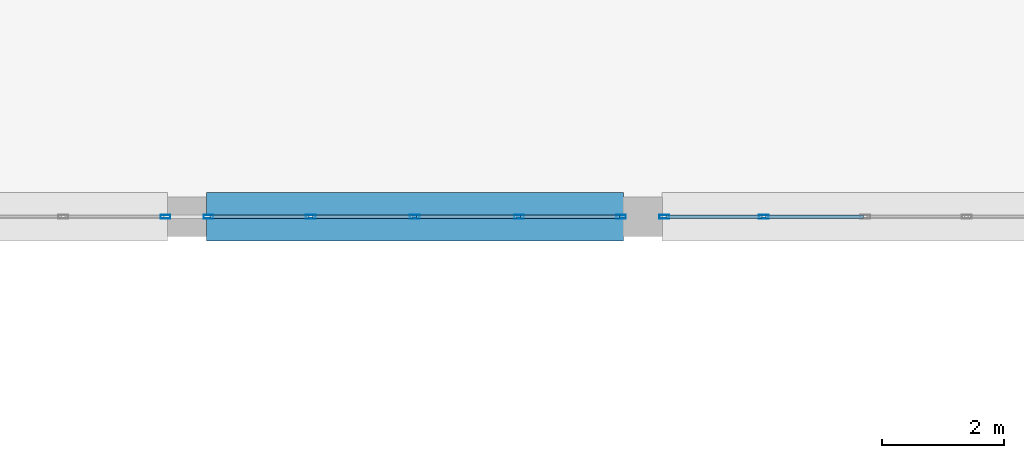
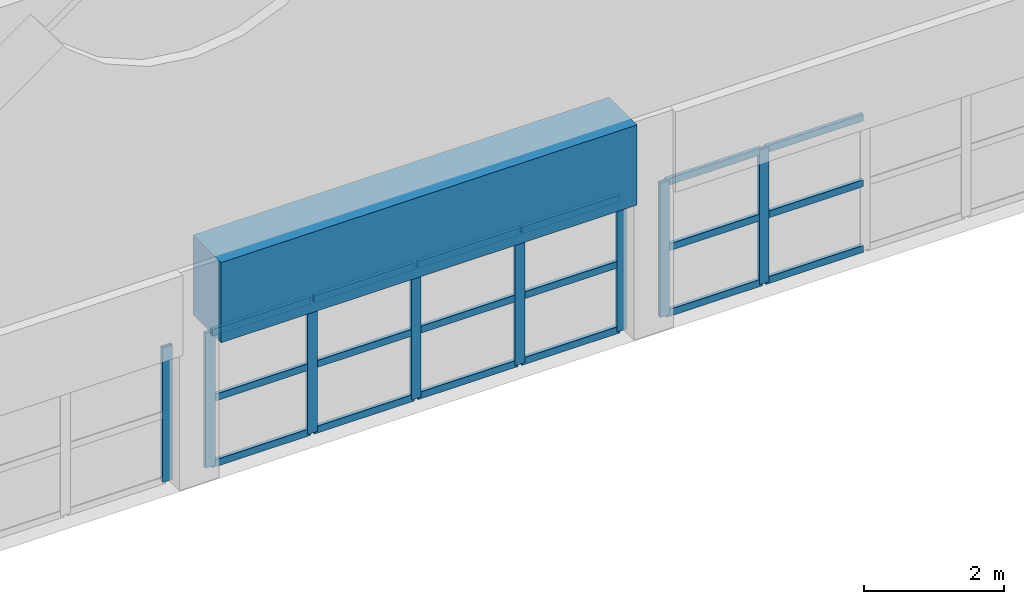
# One storey, part 19 of 74: 26 members, 1 beam, 3 elements without a shape of their own.
"""IFC4 building model written with IfcOpenShell, lengths in metres."""

import ifcopenshell
import ifcopenshell.guid

model = None  # the IFC model being written
_history = None  # IfcOwnerHistory: only IFC2X3 demands one
_inside = {}  # id of a spatial element -> (the spatial element, [elements in it])
_under = {}  # id of a project, library or spatial element -> (it, [spatial elements below it])
_declared = {}  # id of a project -> (the project, [libraries it declares])
_typed = {}  # id of a type object -> (the type object, [elements of that type])
_made_of = {}  # id of a material, layer set ... -> (it, [elements and type objects made of it])


def new_model(schema):
    """Start an empty IFC model of exactly this schema.

    Asked for "IFC4X3", IfcOpenShell would pick the latest addendum, in which some entities
    have other attributes; the version numbers below select the first issue.
    IFC2X3 requires an IfcOwnerHistory on every rooted entity: one is made here for all.
    """
    global model, _history
    if schema == "IFC4X3":
        model = ifcopenshell.file(schema_version=(4, 3, 0, 0))
    else:
        model = ifcopenshell.file(schema=schema)
    _inside.clear()
    _under.clear()
    _declared.clear()
    _typed.clear()
    _made_of.clear()
    _history = None
    if model.schema == "IFC2X3":
        org = make("IfcOrganization", Name="unknown")
        user = make(
            "IfcPersonAndOrganization",
            ThePerson=make("IfcPerson", FamilyName="unknown"),
            TheOrganization=org,
        )
        app = make(
            "IfcApplication",
            ApplicationDeveloper=org,
            Version="unknown",
            ApplicationFullName="unknown",
            ApplicationIdentifier="unknown",
        )
        _history = make(
            "IfcOwnerHistory",
            OwningUser=user,
            OwningApplication=app,
            ChangeAction="ADDED",
            CreationDate=0,
        )
    return model


def make(cls, **values):
    """One entity of the class cls with the attributes given. An attribute that is None is left unset."""
    return model.create_entity(
        cls, **{name: value for name, value in values.items() if value is not None}
    )


def rooted(cls, **values):
    """An entity with a GlobalId (a new one), such as an element, a storey or a relation."""
    return make(cls, GlobalId=ifcopenshell.guid.new(), OwnerHistory=_history, **values)


def si_unit(unit_type, name, prefix=None):
    """IfcSIUnit, for example si_unit("LENGTHUNIT", "METRE", prefix="MILLI")."""
    return make("IfcSIUnit", UnitType=unit_type, Prefix=prefix, Name=name)


def assignment(units):
    """IfcUnitAssignment: the units of a project."""
    return None if units is None else make("IfcUnitAssignment", Units=units)


def point(xyz):
    """IfcCartesianPoint."""
    return None if xyz is None else make("IfcCartesianPoint", Coordinates=xyz)


def direction(xyz):
    """IfcDirection."""
    return None if xyz is None else make("IfcDirection", DirectionRatios=xyz)


def frame(location, z_axis=None, x_axis=None):
    """IfcAxis2Placement3D, a coordinate frame: its origin and axes. An axis left out is left unset."""
    return make(
        "IfcAxis2Placement3D",
        Location=point(location),
        Axis=direction(z_axis),
        RefDirection=direction(x_axis),
    )


def frame_2d(location, x_axis=None):
    """IfcAxis2Placement2D, a coordinate frame in the plane: its origin and x axis."""
    return make(
        "IfcAxis2Placement2D", Location=point(location), RefDirection=direction(x_axis)
    )


def origin():
    """The frame at (0, 0, 0) with its axes left unset."""
    return frame((0.0, 0.0, 0.0))


def origin_2d():
    """The frame at (0, 0) in the plane with its x axis left unset."""
    return frame_2d((0.0, 0.0))


def place(relative_to, where):
    """IfcLocalPlacement: puts the frame where relative to a parent placement (None: the world)."""
    return make(
        "IfcLocalPlacement", PlacementRelTo=relative_to, RelativePlacement=where
    )


def context(
    kind, dimensions, precision=None, world=None, true_north=None, identifier=None
):
    """IfcGeometricRepresentationContext, for example the 3D "Model" context."""
    return make(
        "IfcGeometricRepresentationContext",
        ContextIdentifier=identifier,
        ContextType=kind,
        CoordinateSpaceDimension=dimensions,
        Precision=precision,
        WorldCoordinateSystem=world,
        TrueNorth=true_north,
    )


def subcontext(parent, identifier, kind, view, scale=None):
    """IfcGeometricRepresentationSubContext, for example "Body" below "Model"."""
    return make(
        "IfcGeometricRepresentationSubContext",
        ContextIdentifier=identifier,
        ContextType=kind,
        ParentContext=parent,
        TargetScale=scale,
        TargetView=view,
    )


def project(units=None, contexts=None):
    """IfcProject with its units and contexts."""
    return rooted(
        "IfcProject",
        Name="project",
        RepresentationContexts=contexts,
        UnitsInContext=assignment(units),
    )


def spatial(cls, under=None, at=None, **own):
    """A site, building, storey or space (cls), placed at a placement, below another one or the project."""
    s = rooted(cls, ObjectPlacement=at, **own)
    if under is not None:
        _under.setdefault(under.id(), (under, []))[1].append(s)
    return s


def profile(cls, at=None, kind="AREA", **sizes):
    """A parametric profile (cls). Its sizes go by their IFC names, for example OverallWidth=200.0."""
    return make(cls, ProfileType=kind, Position=at, **sizes)


def rectangle(**sizes):
    """IfcRectangleProfileDef."""
    return profile("IfcRectangleProfileDef", **sizes)


def hollow_rectangle(**sizes):
    """IfcRectangleHollowProfileDef."""
    return profile("IfcRectangleHollowProfileDef", **sizes)


def extrude(swept, where, along, depth):
    """IfcExtrudedAreaSolid: the profile swept, set in the frame where, extruded along a direction by depth."""
    return make(
        "IfcExtrudedAreaSolid",
        SweptArea=swept,
        Position=where,
        ExtrudedDirection=direction(along),
        Depth=depth,
    )


def shape(context_of_items, identifier, shape_type, items):
    """IfcShapeRepresentation: the items that make up one representation, for example the "Body"."""
    return make(
        "IfcShapeRepresentation",
        ContextOfItems=context_of_items,
        RepresentationIdentifier=identifier,
        RepresentationType=shape_type,
        Items=items,
    )


def material(Name=None, Category=None):
    """IfcMaterial."""
    return make("IfcMaterial", Name=Name, Category=Category)


def layer(
    of_material, thickness, ventilated=None, Name=None, Category=None, Priority=None
):
    """IfcMaterialLayer: one layer of a wall or slab, of a material (None: an air gap)."""
    return make(
        "IfcMaterialLayer",
        Material=of_material,
        LayerThickness=thickness,
        IsVentilated=ventilated,
        Name=Name,
        Category=Category,
        Priority=Priority,
    )


def layer_set(layers, Name=None):
    """IfcMaterialLayerSet."""
    return make("IfcMaterialLayerSet", MaterialLayers=layers, LayerSetName=Name)


def material_profile(
    of_material, cross_section, Name=None, Category=None, Priority=None
):
    """IfcMaterialProfile: a cross section and its material."""
    return make(
        "IfcMaterialProfile",
        Name=Name,
        Material=of_material,
        Profile=cross_section,
        Priority=Priority,
        Category=Category,
    )


def profile_set(profiles, Name=None, composite=None):
    """IfcMaterialProfileSet."""
    return make(
        "IfcMaterialProfileSet",
        Name=Name,
        MaterialProfiles=profiles,
        CompositeProfile=composite,
    )


def made_of(thing, what):
    """Note that an element or type object is made of a material, layer set ...; save() writes the relation."""
    if what is not None:
        _made_of.setdefault(what.id(), (what, []))[1].append(thing)
    return thing


def type_object(cls, material=None, **own):
    """A type object (cls), such as IfcWallType, which elements share."""
    return made_of(rooted(cls, **own), material)


def element(
    cls,
    number,
    at=None,
    inside=None,
    cuts=None,
    type_object=None,
    material=None,
    context=None,
    identifier="Body",
    shape_type=None,
    held_by="IfcProductDefinitionShape",
    body=None,
    shapes=None,
    **own,
):
    """One element of the class cls, such as IfcWall. Its Tag is "e" and its number.

    at: its placement. inside: the storey or other place that contains it. cuts: it is an
    opening in that element (IfcRelVoidsElement). A single representation is given by context,
    identifier, shape_type and body (its items); several are given by shapes. held_by: the class
    of the entity that holds the representations. save() writes the other relations.
    """
    e = rooted(cls, Tag="e%d" % number, ObjectPlacement=at, **own)
    if body is not None:
        shapes = [shape(context, identifier, shape_type, body)]
    if shapes is not None:
        e.Representation = make(held_by, Representations=shapes)
    if inside is not None:
        _inside.setdefault(inside.id(), (inside, []))[1].append(e)
    if cuts is not None:
        rooted(
            "IfcRelVoidsElement", RelatingBuildingElement=cuts, RelatedOpeningElement=e
        )
    if type_object is not None:
        _typed.setdefault(type_object.id(), (type_object, []))[1].append(e)
    return made_of(e, material)


def aggregate(whole, parts):
    """IfcRelAggregates: a whole, such as a stair, and the parts it consists of."""
    return rooted("IfcRelAggregates", RelatingObject=whole, RelatedObjects=parts)


def save(model, path):
    """Write the relations noted so far, then the file.

    IfcRelAggregates (storeys below a building ...), IfcRelContainedInSpatialStructure (elements
    in a storey), IfcRelDefinesByType, IfcRelAssociatesMaterial and IfcRelDeclares: one each for
    every whole, place, type object, material and project.
    """
    for whole, parts in _under.values():
        aggregate(whole, parts)
    for where, things in _inside.values():
        rooted(
            "IfcRelContainedInSpatialStructure",
            RelatedElements=things,
            RelatingStructure=where,
        )
    for kind, things in _typed.values():
        rooted("IfcRelDefinesByType", RelatedObjects=things, RelatingType=kind)
    for what, things in _made_of.values():
        rooted("IfcRelAssociatesMaterial", RelatedObjects=things, RelatingMaterial=what)
    for by, libraries in _declared.values():
        rooted("IfcRelDeclares", RelatingContext=by, RelatedDefinitions=libraries)
    model.write(path)


model = new_model("IFC4")

# Units and contexts
model_context = context("Model", 3, precision=1e-05, world=origin(), true_north=direction((0.0, 1.0)))
body_context = subcontext(model_context, "Body", "Model", "MODEL_VIEW")
ifc_project = project(units=[si_unit("LENGTHUNIT", "METRE"), si_unit("AREAUNIT", "SQUARE_METRE"), si_unit("VOLUMEUNIT", "CUBIC_METRE"), si_unit("PLANEANGLEUNIT", "RADIAN"), si_unit("MASSUNIT", "GRAM", prefix="KILO")], contexts=[model_context])

# Site, building, storey
site_placement = place(None, origin())
site = spatial("IfcSite", under=ifc_project, at=site_placement, CompositionType="ELEMENT")
building_placement = place(site_placement, origin())
building = spatial("IfcBuilding", under=site, at=building_placement, Name="Muzn Square Opera House", CompositionType="ELEMENT")
storey_placement = place(building_placement, frame((0.0, 0.0, 14.199951171875)))
storey = spatial("IfcBuildingStorey", under=building, at=storey_placement, Name="L03", CompositionType="ELEMENT", Elevation=14.199951171875)

# Curtain wall, member
ifc_material_1 = material(Name="Low-E laminated acoustic double glazing", Category="glass")
ifc_layer_1 = layer(ifc_material_1, 0.159912109375, Name="Low-E laminated acoustic double glazing", Category="glass")
ifc_layer_set_1 = layer_set([ifc_layer_1], Name="Low-E laminated acoustic double glazing")
curtain_wall_type_1 = type_object("IfcCurtainWallType", Name="Glazed Curtain Wall Forecourt 6850x2350", PredefinedType="USERDEFINED", material=ifc_layer_set_1)
curtain_wall_1_placement = place(storey_placement, origin())
curtain_wall_1 = element("IfcCurtainWall", 1, at=curtain_wall_1_placement, inside=storey, type_object=curtain_wall_type_1, Name="Glazed Curtain Wall CW-L03-023", ObjectType="GLAZED CURTAIN WALL", PredefinedType="USERDEFINED")
ifc_material_2 = material(Name="Anodised bronze aluminium 6063-T6", Category="metal")
ifc_material_profile_1 = material_profile(ifc_material_2, hollow_rectangle(XDim=0.06005859375, YDim=0.159912109375, WallThickness=0.00390625, at=origin_2d()), Name="ALU 160x60x4", Category="metal")
ifc_profile_set_1 = profile_set([ifc_material_profile_1], Name="Anodised bronze aluminium 6063-T6")
member_type_1 = type_object("IfcMemberType", Name="Curtain Wall Mullion 160x60", PredefinedType="MULLION", material=ifc_profile_set_1)
member_1_placement = place(storey_placement, frame((87.64501953125, 22.0, 0.0), z_axis=(0.0, 0.0, 1.0), x_axis=(0.0, 1.0, 0.0)))
member_1 = element("IfcMember", 2, at=member_1_placement, type_object=member_type_1, Name="CW-FC-68x23 mullion 5", PredefinedType="MULLION", context=body_context, shape_type="SweptSolid", body=[
    extrude(hollow_rectangle(XDim=0.06005859375, YDim=0.159912109375, WallThickness=0.00390625, at=origin_2d()), origin(), (0.0, 0.0, 1.0), 2.35009765625),
])
aggregate(curtain_wall_1, [member_1])

# Curtain wall, members
curtain_wall_2_placement = place(storey_placement, origin())
curtain_wall_2 = element("IfcCurtainWall", 3, at=curtain_wall_2_placement, inside=storey, type_object=curtain_wall_type_1, Name="Glazed Curtain Wall CW-L03-024", ObjectType="GLAZED CURTAIN WALL", PredefinedType="USERDEFINED")
member_2_placement = place(storey_placement, frame((88.35498046875, 22.0, 0.0), z_axis=(0.0, 0.0, 1.0), x_axis=(0.0, 1.0, 0.0)))
member_2 = element("IfcMember", 4, at=member_2_placement, type_object=member_type_1, Name="CW-FC-68x23 mullion 1", PredefinedType="MULLION", context=body_context, shape_type="SweptSolid", body=[
    extrude(hollow_rectangle(XDim=0.06005859375, YDim=0.159912109375, WallThickness=0.00390625, at=origin_2d()), origin(), (0.0, 0.0, 1.0), 2.35009765625),
])
member_3_placement = place(storey_placement, frame((90.03759765625, 22.0, 0.0), z_axis=(0.0, 0.0, 1.0), x_axis=(0.0, 1.0, 0.0)))
member_3 = element("IfcMember", 5, at=member_3_placement, type_object=member_type_1, Name="CW-FC-68x23 mullion 2", PredefinedType="MULLION", context=body_context, shape_type="SweptSolid", body=[
    extrude(hollow_rectangle(XDim=0.06005859375, YDim=0.159912109375, WallThickness=0.00390625, at=origin_2d()), origin(), (0.0, 0.0, 1.0), 2.35009765625),
])
member_4_placement = place(storey_placement, frame((91.75, 22.0, 0.0), z_axis=(0.0, 0.0, 1.0), x_axis=(0.0, 1.0, 0.0)))
member_4 = element("IfcMember", 6, at=member_4_placement, type_object=member_type_1, Name="CW-FC-68x23 mullion 3", PredefinedType="MULLION", context=body_context, shape_type="SweptSolid", body=[
    extrude(hollow_rectangle(XDim=0.06005859375, YDim=0.159912109375, WallThickness=0.00390625, at=origin_2d()), origin(), (0.0, 0.0, 1.0), 2.35009765625),
])
member_5_placement = place(storey_placement, frame((93.46240234375, 22.0, 0.0), z_axis=(0.0, 0.0, 1.0), x_axis=(0.0, 1.0, 0.0)))
member_5 = element("IfcMember", 7, at=member_5_placement, type_object=member_type_1, Name="CW-FC-68x23 mullion 4", PredefinedType="MULLION", context=body_context, shape_type="SweptSolid", body=[
    extrude(hollow_rectangle(XDim=0.06005859375, YDim=0.159912109375, WallThickness=0.00390625, at=origin_2d()), origin(), (0.0, 0.0, 1.0), 2.35009765625),
])
member_6_placement = place(storey_placement, frame((95.14501953125, 22.0, 0.0), z_axis=(0.0, 0.0, 1.0), x_axis=(0.0, 1.0, 0.0)))
member_6 = element("IfcMember", 8, at=member_6_placement, type_object=member_type_1, Name="CW-FC-68x23 mullion 5", PredefinedType="MULLION", context=body_context, shape_type="SweptSolid", body=[
    extrude(hollow_rectangle(XDim=0.06005859375, YDim=0.159912109375, WallThickness=0.00390625, at=origin_2d()), origin(), (0.0, 0.0, 1.0), 2.35009765625),
])

ifc_layer_2 = layer(ifc_material_1, 0.159912109375, Name="Low-E laminated acoustic double glazing", Category="glass")
ifc_layer_set_2 = layer_set([ifc_layer_2], Name="Low-E laminated acoustic double glazing")
curtain_wall_type_2 = type_object("IfcCurtainWallType", Name="Glazed Curtain Wall Forecourt 6675x2350", PredefinedType="USERDEFINED", material=ifc_layer_set_2)
curtain_wall_3_placement = place(storey_placement, origin())
curtain_wall_3 = element("IfcCurtainWall", 9, at=curtain_wall_3_placement, inside=storey, type_object=curtain_wall_type_2, Name="Glazed Curtain Wall CW-L03-025", ObjectType="GLAZED CURTAIN WALL", PredefinedType="USERDEFINED")
member_7_placement = place(storey_placement, frame((95.85498046875, 22.0, 0.0), z_axis=(0.0, 0.0, 1.0), x_axis=(0.0, 1.0, 0.0)))
member_7 = element("IfcMember", 10, at=member_7_placement, type_object=member_type_1, Name="CW-FC-66x23 mullion 1", PredefinedType="MULLION", context=body_context, shape_type="SweptSolid", body=[
    extrude(hollow_rectangle(XDim=0.06005859375, YDim=0.159912109375, WallThickness=0.00390625, at=origin_2d()), origin(), (0.0, 0.0, 1.0), 2.35009765625),
])
member_8_placement = place(storey_placement, frame((97.49365234375, 22.0, 0.0), z_axis=(0.0, 0.0, 1.0), x_axis=(0.0, 1.0, 0.0)))
member_8 = element("IfcMember", 11, at=member_8_placement, type_object=member_type_1, Name="CW-FC-66x23 mullion 2", PredefinedType="MULLION", context=body_context, shape_type="SweptSolid", body=[
    extrude(hollow_rectangle(XDim=0.06005859375, YDim=0.159912109375, WallThickness=0.00390625, at=origin_2d()), origin(), (0.0, 0.0, 1.0), 2.35009765625),
])

# Member
ifc_material_profile_2 = material_profile(ifc_material_2, hollow_rectangle(XDim=0.06005859375, YDim=0.1201171875, WallThickness=0.00390625, at=origin_2d()), Name="ALU 120x60x4", Category="metal")
ifc_profile_set_2 = profile_set([ifc_material_profile_2], Name="Anodised bronze aluminium 6063-T6")
member_type_2 = type_object("IfcMemberType", Name="Curtain Wall Transom 120x60", PredefinedType="USERDEFINED", material=ifc_profile_set_2)
member_9_placement = place(storey_placement, frame((88.385009765625, 22.0, 0.030029296875), z_axis=(1.0, 0.0, 0.0), x_axis=(0.0, 1.0, 0.0)))
member_9 = element("IfcMember", 12, at=member_9_placement, type_object=member_type_2, Name="CW-FC-68x23 transom 1.1", ObjectType="TRANSOM", PredefinedType="USERDEFINED", context=body_context, shape_type="SweptSolid", body=[
    extrude(hollow_rectangle(XDim=0.06005859375, YDim=0.1201171875, WallThickness=0.00390625, at=origin_2d()), origin(), (0.0, 0.0, 1.0), 1.62255859375),
])

member_10_placement = place(storey_placement, frame((88.385009765625, 22.0, 1.175048828125), z_axis=(1.0, 0.0, 0.0), x_axis=(0.0, 1.0, 0.0)))
member_10 = element("IfcMember", 13, at=member_10_placement, type_object=member_type_2, Name="CW-FC-68x23 transom 1.2", ObjectType="TRANSOM", PredefinedType="USERDEFINED", context=body_context, shape_type="SweptSolid", body=[
    extrude(hollow_rectangle(XDim=0.06005859375, YDim=0.1201171875, WallThickness=0.00390625, at=origin_2d()), origin(), (0.0, 0.0, 1.0), 1.62255859375),
])

member_11_placement = place(storey_placement, frame((88.385009765625, 22.0, 2.320068359375), z_axis=(1.0, 0.0, 0.0), x_axis=(0.0, 1.0, 0.0)))
member_11 = element("IfcMember", 14, at=member_11_placement, type_object=member_type_2, Name="CW-FC-68x23 transom 1.3", ObjectType="TRANSOM", PredefinedType="USERDEFINED", context=body_context, shape_type="SweptSolid", body=[
    extrude(hollow_rectangle(XDim=0.06005859375, YDim=0.1201171875, WallThickness=0.00390625, at=origin_2d()), origin(), (0.0, 0.0, 1.0), 1.62255859375),
])

member_12_placement = place(storey_placement, frame((90.0673828125, 22.0, 0.030029296875), z_axis=(1.0, 0.0, 0.0), x_axis=(0.0, 1.0, 0.0)))
member_12 = element("IfcMember", 15, at=member_12_placement, type_object=member_type_2, Name="CW-FC-68x23 transom 2.1", ObjectType="TRANSOM", PredefinedType="USERDEFINED", context=body_context, shape_type="SweptSolid", body=[
    extrude(hollow_rectangle(XDim=0.06005859375, YDim=0.1201171875, WallThickness=0.00390625, at=origin_2d()), origin(), (0.0, 0.0, 1.0), 1.652587890625),
])

member_13_placement = place(storey_placement, frame((90.0673828125, 22.0, 1.175048828125), z_axis=(1.0, 0.0, 0.0), x_axis=(0.0, 1.0, 0.0)))
member_13 = element("IfcMember", 16, at=member_13_placement, type_object=member_type_2, Name="CW-FC-68x23 transom 2.2", ObjectType="TRANSOM", PredefinedType="USERDEFINED", context=body_context, shape_type="SweptSolid", body=[
    extrude(hollow_rectangle(XDim=0.06005859375, YDim=0.1201171875, WallThickness=0.00390625, at=origin_2d()), origin(), (0.0, 0.0, 1.0), 1.652587890625),
])

member_14_placement = place(storey_placement, frame((90.0673828125, 22.0, 2.320068359375), z_axis=(1.0, 0.0, 0.0), x_axis=(0.0, 1.0, 0.0)))
member_14 = element("IfcMember", 17, at=member_14_placement, type_object=member_type_2, Name="CW-FC-68x23 transom 2.3", ObjectType="TRANSOM", PredefinedType="USERDEFINED", context=body_context, shape_type="SweptSolid", body=[
    extrude(hollow_rectangle(XDim=0.06005859375, YDim=0.1201171875, WallThickness=0.00390625, at=origin_2d()), origin(), (0.0, 0.0, 1.0), 1.652587890625),
])

member_15_placement = place(storey_placement, frame((91.780029296875, 22.0, 0.030029296875), z_axis=(1.0, 0.0, 0.0), x_axis=(0.0, 1.0, 0.0)))
member_15 = element("IfcMember", 18, at=member_15_placement, type_object=member_type_2, Name="CW-FC-68x23 transom 3.1", ObjectType="TRANSOM", PredefinedType="USERDEFINED", context=body_context, shape_type="SweptSolid", body=[
    extrude(hollow_rectangle(XDim=0.06005859375, YDim=0.1201171875, WallThickness=0.00390625, at=origin_2d()), origin(), (0.0, 0.0, 1.0), 1.652587890625),
])

member_16_placement = place(storey_placement, frame((91.780029296875, 22.0, 1.175048828125), z_axis=(1.0, 0.0, 0.0), x_axis=(0.0, 1.0, 0.0)))
member_16 = element("IfcMember", 19, at=member_16_placement, type_object=member_type_2, Name="CW-FC-68x23 transom 3.2", ObjectType="TRANSOM", PredefinedType="USERDEFINED", context=body_context, shape_type="SweptSolid", body=[
    extrude(hollow_rectangle(XDim=0.06005859375, YDim=0.1201171875, WallThickness=0.00390625, at=origin_2d()), origin(), (0.0, 0.0, 1.0), 1.652587890625),
])

member_17_placement = place(storey_placement, frame((91.780029296875, 22.0, 2.320068359375), z_axis=(1.0, 0.0, 0.0), x_axis=(0.0, 1.0, 0.0)))
member_17 = element("IfcMember", 20, at=member_17_placement, type_object=member_type_2, Name="CW-FC-68x23 transom 3.3", ObjectType="TRANSOM", PredefinedType="USERDEFINED", context=body_context, shape_type="SweptSolid", body=[
    extrude(hollow_rectangle(XDim=0.06005859375, YDim=0.1201171875, WallThickness=0.00390625, at=origin_2d()), origin(), (0.0, 0.0, 1.0), 1.652587890625),
])

member_18_placement = place(storey_placement, frame((93.492431640625, 22.0, 0.030029296875), z_axis=(1.0, 0.0, 0.0), x_axis=(0.0, 1.0, 0.0)))
member_18 = element("IfcMember", 21, at=member_18_placement, type_object=member_type_2, Name="CW-FC-68x23 transom 4.1", ObjectType="TRANSOM", PredefinedType="USERDEFINED", context=body_context, shape_type="SweptSolid", body=[
    extrude(hollow_rectangle(XDim=0.06005859375, YDim=0.1201171875, WallThickness=0.00390625, at=origin_2d()), origin(), (0.0, 0.0, 1.0), 1.62255859375),
])

member_19_placement = place(storey_placement, frame((93.492431640625, 22.0, 1.175048828125), z_axis=(1.0, 0.0, 0.0), x_axis=(0.0, 1.0, 0.0)))
member_19 = element("IfcMember", 22, at=member_19_placement, type_object=member_type_2, Name="CW-FC-68x23 transom 4.2", ObjectType="TRANSOM", PredefinedType="USERDEFINED", context=body_context, shape_type="SweptSolid", body=[
    extrude(hollow_rectangle(XDim=0.06005859375, YDim=0.1201171875, WallThickness=0.00390625, at=origin_2d()), origin(), (0.0, 0.0, 1.0), 1.62255859375),
])

member_20_placement = place(storey_placement, frame((93.492431640625, 22.0, 2.320068359375), z_axis=(1.0, 0.0, 0.0), x_axis=(0.0, 1.0, 0.0)))
member_20 = element("IfcMember", 23, at=member_20_placement, type_object=member_type_2, Name="CW-FC-68x23 transom 4.3", ObjectType="TRANSOM", PredefinedType="USERDEFINED", context=body_context, shape_type="SweptSolid", body=[
    extrude(hollow_rectangle(XDim=0.06005859375, YDim=0.1201171875, WallThickness=0.00390625, at=origin_2d()), origin(), (0.0, 0.0, 1.0), 1.62255859375),
])

aggregate(curtain_wall_2, [member_2, member_3, member_4, member_5, member_6, member_9, member_10, member_11, member_12, member_13, member_14, member_15, member_16, member_17, member_18, member_19, member_20])

member_21_placement = place(storey_placement, frame((95.885009765625, 22.0, 0.030029296875), z_axis=(1.0, 0.0, 0.0), x_axis=(0.0, 1.0, 0.0)))
member_21 = element("IfcMember", 24, at=member_21_placement, type_object=member_type_2, Name="CW-FC-66x23 transom 1.1", ObjectType="TRANSOM", PredefinedType="USERDEFINED", context=body_context, shape_type="SweptSolid", body=[
    extrude(hollow_rectangle(XDim=0.06005859375, YDim=0.1201171875, WallThickness=0.00390625, at=origin_2d()), origin(), (0.0, 0.0, 1.0), 1.578857421875),
])

member_22_placement = place(storey_placement, frame((95.885009765625, 22.0, 1.175048828125), z_axis=(1.0, 0.0, 0.0), x_axis=(0.0, 1.0, 0.0)))
member_22 = element("IfcMember", 25, at=member_22_placement, type_object=member_type_2, Name="CW-FC-66x23 transom 1.2", ObjectType="TRANSOM", PredefinedType="USERDEFINED", context=body_context, shape_type="SweptSolid", body=[
    extrude(hollow_rectangle(XDim=0.06005859375, YDim=0.1201171875, WallThickness=0.00390625, at=origin_2d()), origin(), (0.0, 0.0, 1.0), 1.578857421875),
])

member_23_placement = place(storey_placement, frame((95.885009765625, 22.0, 2.320068359375), z_axis=(1.0, 0.0, 0.0), x_axis=(0.0, 1.0, 0.0)))
member_23 = element("IfcMember", 26, at=member_23_placement, type_object=member_type_2, Name="CW-FC-66x23 transom 1.3", ObjectType="TRANSOM", PredefinedType="USERDEFINED", context=body_context, shape_type="SweptSolid", body=[
    extrude(hollow_rectangle(XDim=0.06005859375, YDim=0.1201171875, WallThickness=0.00390625, at=origin_2d()), origin(), (0.0, 0.0, 1.0), 1.578857421875),
])

member_24_placement = place(storey_placement, frame((97.523681640625, 22.0, 0.030029296875), z_axis=(1.0, 0.0, 0.0), x_axis=(0.0, 1.0, 0.0)))
member_24 = element("IfcMember", 27, at=member_24_placement, type_object=member_type_2, Name="CW-FC-66x23 transom 2.1", ObjectType="TRANSOM", PredefinedType="USERDEFINED", context=body_context, shape_type="SweptSolid", body=[
    extrude(hollow_rectangle(XDim=0.06005859375, YDim=0.1201171875, WallThickness=0.00390625, at=origin_2d()), origin(), (0.0, 0.0, 1.0), 1.60888671875),
])

member_25_placement = place(storey_placement, frame((97.523681640625, 22.0, 1.175048828125), z_axis=(1.0, 0.0, 0.0), x_axis=(0.0, 1.0, 0.0)))
member_25 = element("IfcMember", 28, at=member_25_placement, type_object=member_type_2, Name="CW-FC-66x23 transom 2.2", ObjectType="TRANSOM", PredefinedType="USERDEFINED", context=body_context, shape_type="SweptSolid", body=[
    extrude(hollow_rectangle(XDim=0.06005859375, YDim=0.1201171875, WallThickness=0.00390625, at=origin_2d()), origin(), (0.0, 0.0, 1.0), 1.60888671875),
])

member_26_placement = place(storey_placement, frame((97.523681640625, 22.0, 2.320068359375), z_axis=(1.0, 0.0, 0.0), x_axis=(0.0, 1.0, 0.0)))
member_26 = element("IfcMember", 29, at=member_26_placement, type_object=member_type_2, Name="CW-FC-66x23 transom 2.3", ObjectType="TRANSOM", PredefinedType="USERDEFINED", context=body_context, shape_type="SweptSolid", body=[
    extrude(hollow_rectangle(XDim=0.06005859375, YDim=0.1201171875, WallThickness=0.00390625, at=origin_2d()), origin(), (0.0, 0.0, 1.0), 1.60888671875),
])

aggregate(curtain_wall_3, [member_7, member_8, member_21, member_22, member_23, member_24, member_25, member_26])

# Beam
ifc_material_3 = material(Name="Concrete C45/55", Category="concrete")
ifc_material_profile_3 = material_profile(ifc_material_3, rectangle(XDim=0.800048828125, YDim=1.39990234375, at=origin_2d()), Name="RCB 800x1400", Category="concrete")
ifc_profile_set_3 = profile_set([ifc_material_profile_3], Name="Concrete C45/55")
beam_type = type_object("IfcBeamType", Name="Vault Springing Girder 800x1400", PredefinedType="BEAM", material=ifc_profile_set_3)
beam_placement = place(storey_placement, frame((88.31689453125, 22.0, 3.10009765625), z_axis=(1.0, 0.0, 0.0), x_axis=(0.0, 1.0, 0.0)))
element("IfcBeam", 30, at=beam_placement, inside=storey, type_object=beam_type, Name="Gable Support Girder BM-L03-BM-VS1400-883_220_952_220-2413", PredefinedType="BEAM", context=body_context, shape_type="SweptSolid", body=[
    extrude(rectangle(XDim=0.800048828125, YDim=1.39990234375, at=origin_2d()), origin(), (0.0, 0.0, 1.0), 6.8662109375),
])

save(model, "model.ifc")
